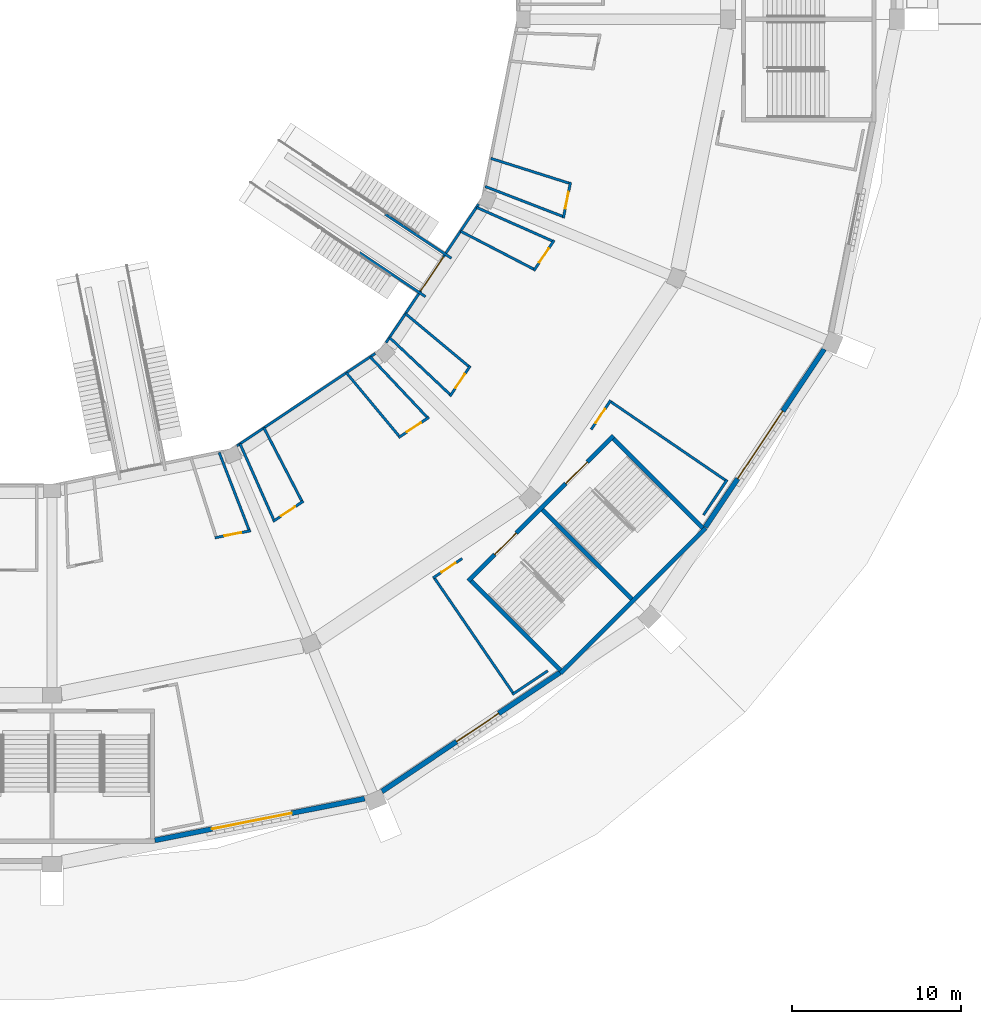
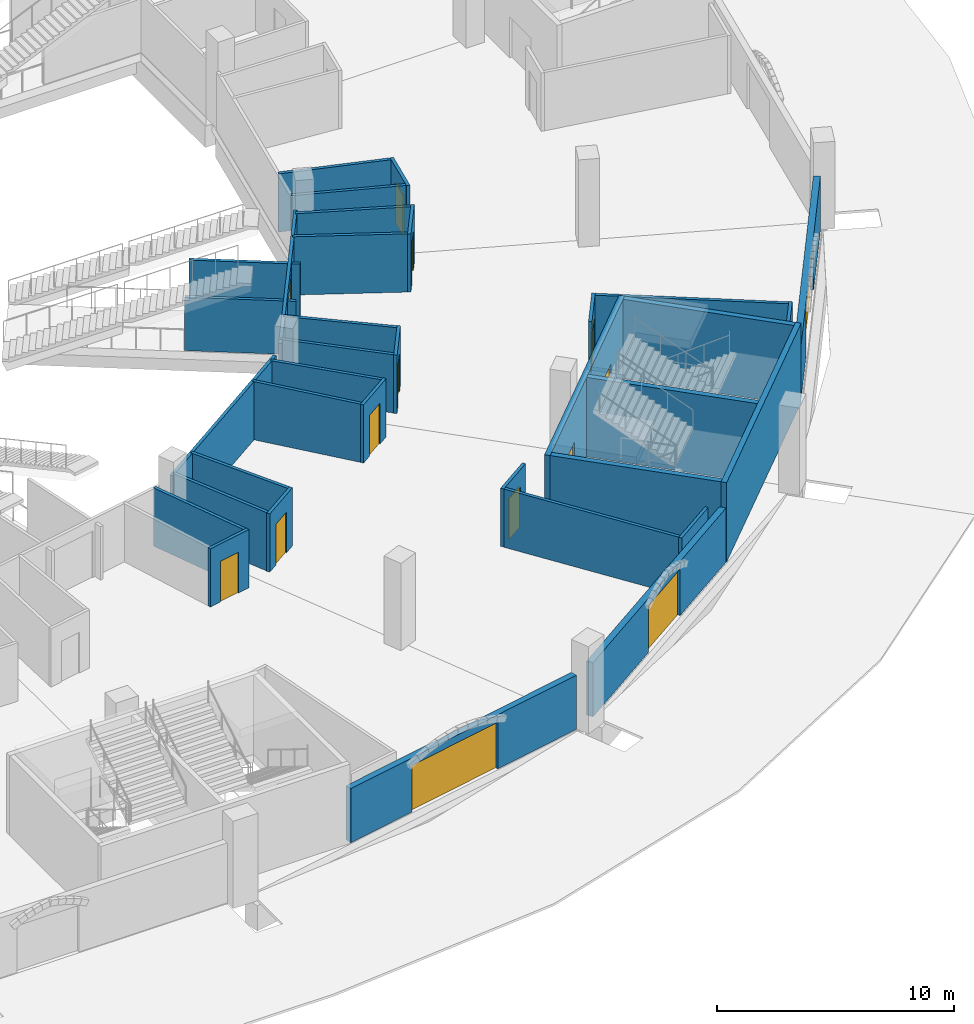
# One storey, part 32 of 175: 35 walls, 14 doors, 14 openings.
"""IFC4 building model written with IfcOpenShell, lengths in metres."""

from ifc_helpers import new_model, si_unit, direction, frame, frame_2d, origin, place, context, subcontext, project, spatial, rectangle, extrude, material, layer, layer_set, type_object, element, fill, save


model = new_model("IFC4")

# Units and contexts
model_context = context("Model", 3, precision=1e-05, world=origin(), true_north=direction((0.0, 1.0)))
body_context = subcontext(model_context, "Body", "Model", "MODEL_VIEW")
ifc_project = project(units=[si_unit("LENGTHUNIT", "METRE"), si_unit("AREAUNIT", "SQUARE_METRE"), si_unit("VOLUMEUNIT", "CUBIC_METRE"), si_unit("PLANEANGLEUNIT", "RADIAN"), si_unit("MASSUNIT", "GRAM", prefix="KILO")], contexts=[model_context])

# Site, building, storey
site_placement = place(None, origin())
site = spatial("IfcSite", under=ifc_project, at=site_placement, CompositionType="ELEMENT")
building_placement = place(site_placement, origin())
building = spatial("IfcBuilding", under=site, at=building_placement, Name="Ogive Plaza Stadium", CompositionType="ELEMENT")
storey_placement = place(building_placement, origin())
storey = spatial("IfcBuildingStorey", under=building, at=storey_placement, Name="L00", CompositionType="ELEMENT", Elevation=0.0)

# Wall, opening, door
ifc_material_1 = material(Name="Masonry blockwork", Category="masonry")
ifc_layer_1 = layer(ifc_material_1, 0.14990234375)
ifc_layer_set_1 = layer_set([ifc_layer_1], Name="Blockwork wall 150")
wall_type_1 = type_object("IfcWallType", Name="Blockwork wall 150", PredefinedType="SOLIDWALL", material=ifc_layer_set_1)
wall_1_placement = place(storey_placement, frame((64.682373046875, -62.14013671875, 0.0), z_axis=(0.0, 0.0, 1.0), x_axis=(-0.195075759432, -0.980788176969, 0.0)))
wall_1 = element("IfcWall", 1, at=wall_1_placement, inside=storey, type_object=wall_type_1, Name="Wall L00 B08", PredefinedType="SOLIDWALL", context=body_context, shape_type="SweptSolid", body=[
    extrude(rectangle(XDim=2.166259765625, YDim=0.14990234375, at=frame_2d((1.0830078125, 0.0))), origin(), (0.0, 0.0, 1.0), 3.0),
])
opening_1_placement = place(wall_1_placement, frame((0.583251953125, 0.0, 0.0)))
opening_1 = element("IfcOpeningElement", 2, at=opening_1_placement, cuts=wall_1, Name="Opening D0390", PredefinedType="OPENING", context=body_context, shape_type="SweptSolid", body=[
    extrude(rectangle(XDim=1.0, YDim=2.10009765625, at=frame_2d((0.5, 1.050048828125))), frame((0.0, 0.074951171875, 0.0), z_axis=(0.0, -1.0, 0.0), x_axis=(1.0, 0.0, 0.0)), (0.0, 0.0, 1.0), 0.14990234375),
])
ifc_material_2 = material(Name="Steel ASTM A572 Grade 50", Category="steel")
door_type_1 = type_object("IfcDoorType", Name="Door 1000 x 2100", OperationType="SINGLE_SWING_LEFT", PredefinedType="DOOR", material=ifc_material_2)
door_1_placement = place(opening_1_placement, origin())
door_1 = element("IfcDoor", 3, at=door_1_placement, inside=storey, type_object=door_type_1, Name="Concession Stand B08 door", OperationType="SINGLE_SWING_RIGHT", OverallHeight=2.10009765625, OverallWidth=1.0, PredefinedType="DOOR", context=body_context, shape_type="SweptSolid", body=[
    extrude(rectangle(XDim=1.0, YDim=2.10009765625, at=frame_2d((0.5, 1.050048828125))), frame((0.0, 0.02490234375, 0.0), z_axis=(0.0, -1.0, 0.0), x_axis=(1.0, 0.0, 0.0)), (0.0, 0.0, 1.0), 0.050048828125),
])
fill(opening_1, door_1)

# Walls
wall_2_placement = place(storey_placement, frame((59.963134765625, -60.72900390625, 0.0), z_axis=(0.0, 0.0, 1.0), x_axis=(0.953256403352, -0.302162587804, 0.0)))
element("IfcWall", 4, at=wall_2_placement, inside=storey, type_object=wall_type_1, Name="Wall L00 B08", PredefinedType="SOLIDWALL", context=body_context, shape_type="SweptSolid", body=[
    extrude(rectangle(XDim=4.860107421875, YDim=0.14990234375, at=frame_2d((2.43017578125, 0.0))), origin(), (0.0, 0.0, 1.0), 3.0),
])
wall_3_placement = place(storey_placement, frame((59.632080078125, -62.39306640625, 0.0), z_axis=(0.0, 0.0, 1.0), x_axis=(0.932924010437, -0.360073313022, 0.0)))
element("IfcWall", 5, at=wall_3_placement, inside=storey, type_object=wall_type_1, Name="Wall L00 B08", PredefinedType="SOLIDWALL", context=body_context, shape_type="SweptSolid", body=[
    extrude(rectangle(XDim=4.90283203125, YDim=0.14990234375, at=frame_2d((2.451416015625, 0.0))), origin(), (0.0, 0.0, 1.0), 3.0),
])

# Wall, opening, door
wall_4_placement = place(storey_placement, frame((57.548095703125, -74.808837890625, 0.0), z_axis=(0.0, 0.0, 1.0), x_axis=(0.555584101735, 0.831460345356, 0.0)))
wall_4 = element("IfcWall", 6, at=wall_4_placement, inside=storey, type_object=wall_type_1, Name="Wall L00 B09", PredefinedType="SOLIDWALL", context=body_context, shape_type="SweptSolid", body=[
    extrude(rectangle(XDim=2.16650390625, YDim=0.14990234375, at=frame_2d((1.083251953125, 0.0))), origin(), (0.0, 0.0, 1.0), 3.0),
])
opening_2_placement = place(wall_4_placement, frame((0.583251953125, 0.0, 0.0)))
opening_2 = element("IfcOpeningElement", 7, at=opening_2_placement, cuts=wall_4, Name="Opening D0392", PredefinedType="OPENING", context=body_context, shape_type="SweptSolid", body=[
    extrude(rectangle(XDim=1.0, YDim=2.10009765625, at=frame_2d((0.5, 1.050048828125))), frame((0.0, 0.074951171875, 0.0), z_axis=(0.0, -1.0, 0.0), x_axis=(1.0, 0.0, 0.0)), (0.0, 0.0, 1.0), 0.14990234375),
])
door_2_placement = place(opening_2_placement, origin())
door_2 = element("IfcDoor", 8, at=door_2_placement, inside=storey, type_object=door_type_1, Name="Concession Stand B09 door", OperationType="SINGLE_SWING_RIGHT", OverallHeight=2.10009765625, OverallWidth=1.0, PredefinedType="DOOR", context=body_context, shape_type="SweptSolid", body=[
    extrude(rectangle(XDim=1.0, YDim=2.10009765625, at=frame_2d((0.5, 1.050048828125))), frame((0.0, 0.02490234375, 0.0), z_axis=(0.0, -1.0, 0.0), x_axis=(1.0, 0.0, 0.0)), (0.0, 0.0, 1.0), 0.050048828125),
])
fill(opening_2, door_2)

# Walls
wall_5_placement = place(storey_placement, frame((53.974609375, -71.330078125, 0.0), z_axis=(0.0, 0.0, 1.0), x_axis=(0.727681801846, -0.685914860068, 0.0)))
element("IfcWall", 9, at=wall_5_placement, inside=storey, type_object=wall_type_1, Name="Wall L00 B09", PredefinedType="SOLIDWALL", context=body_context, shape_type="SweptSolid", body=[
    extrude(rectangle(XDim=4.8984375, YDim=0.14990234375, at=frame_2d((2.44921875, 0.0))), origin(), (0.0, 0.0, 1.0), 3.0),
])
wall_6_placement = place(storey_placement, frame((54.917236328125, -69.91943359375, 0.0), z_axis=(0.0, 0.0, 1.0), x_axis=(0.768443715431, -0.639917382336, 0.0)))
element("IfcWall", 10, at=wall_6_placement, inside=storey, type_object=wall_type_1, Name="Wall L00 B09", PredefinedType="SOLIDWALL", context=body_context, shape_type="SweptSolid", body=[
    extrude(rectangle(XDim=4.857177734375, YDim=0.14990234375, at=frame_2d((2.4287109375, 0.0))), origin(), (0.0, 0.0, 1.0), 3.0),
])

# Wall, opening, door
wall_7_placement = place(storey_placement, frame((62.512451171875, -67.379150390625, 0.0), z_axis=(0.0, 0.0, 1.0), x_axis=(0.555584101735, 0.831460345356, 0.0)))
wall_7 = element("IfcWall", 11, at=wall_7_placement, inside=storey, type_object=wall_type_1, Name="Wall L00 B09", PredefinedType="SOLIDWALL", context=body_context, shape_type="SweptSolid", body=[
    extrude(rectangle(XDim=2.16650390625, YDim=0.14990234375, at=frame_2d((1.083251953125, 0.0))), origin(), (0.0, 0.0, 1.0), 3.0),
])
opening_3_placement = place(wall_7_placement, frame((0.583251953125, 0.0, 0.0)))
opening_3 = element("IfcOpeningElement", 12, at=opening_3_placement, cuts=wall_7, Name="Opening D0393", PredefinedType="OPENING", context=body_context, shape_type="SweptSolid", body=[
    extrude(rectangle(XDim=1.0, YDim=2.10009765625, at=frame_2d((0.5, 1.050048828125))), frame((0.0, 0.074951171875, 0.0), z_axis=(0.0, -1.0, 0.0), x_axis=(1.0, 0.0, 0.0)), (0.0, 0.0, 1.0), 0.14990234375),
])
door_3_placement = place(opening_3_placement, origin())
door_3 = element("IfcDoor", 13, at=door_3_placement, inside=storey, type_object=door_type_1, Name="Concession Stand B09 door", OperationType="SINGLE_SWING_LEFT", OverallHeight=2.10009765625, OverallWidth=1.0, PredefinedType="DOOR", context=body_context, shape_type="SweptSolid", body=[
    extrude(rectangle(XDim=1.0, YDim=2.10009765625, at=frame_2d((0.5, 1.050048828125))), frame((0.0, 0.02490234375, 0.0), z_axis=(0.0, -1.0, 0.0), x_axis=(1.0, 0.0, 0.0)), (0.0, 0.0, 1.0), 0.050048828125),
])
fill(opening_3, door_3)

# Walls
wall_8_placement = place(storey_placement, frame((58.177490234375, -65.039794921875, 0.0), z_axis=(0.0, 0.0, 1.0), x_axis=(0.887687615618, -0.460446193467, 0.0)))
element("IfcWall", 14, at=wall_8_placement, inside=storey, type_object=wall_type_1, Name="Wall L00 B09", PredefinedType="SOLIDWALL", context=body_context, shape_type="SweptSolid", body=[
    extrude(rectangle(XDim=4.860107421875, YDim=0.14990234375, at=frame_2d((2.43017578125, 0.0))), origin(), (0.0, 0.0, 1.0), 3.0),
])
wall_9_placement = place(storey_placement, frame((59.1201171875, -63.629150390625, 0.0), z_axis=(0.0, 0.0, 1.0), x_axis=(0.914272991352, -0.405098626615, 0.0)))
element("IfcWall", 15, at=wall_9_placement, inside=storey, type_object=wall_type_1, Name="Wall L00 B09", PredefinedType="SOLIDWALL", context=body_context, shape_type="SweptSolid", body=[
    extrude(rectangle(XDim=4.90283203125, YDim=0.14990234375, at=frame_2d((2.451416015625, 0.0))), origin(), (0.0, 0.0, 1.0), 3.0),
])

# Wall, opening, door
wall_10_placement = place(storey_placement, frame((65.90673828125, -76.775390625, 0.0), z_axis=(0.0, 0.0, 1.0), x_axis=(0.555485387307, 0.831526298134, 0.0)))
wall_10 = element("IfcWall", 16, at=wall_10_placement, inside=storey, type_object=wall_type_1, Name="Wall L00 B09", PredefinedType="SOLIDWALL", context=body_context, shape_type="SweptSolid", body=[
    extrude(rectangle(XDim=2.080078125, YDim=0.14990234375, at=frame_2d((1.0400390625, 0.0))), origin(), (0.0, 0.0, 1.0), 3.0),
])
opening_4_placement = place(wall_10_placement, frame((0.47216796875, 0.0, 0.0)))
opening_4 = element("IfcOpeningElement", 17, at=opening_4_placement, cuts=wall_10, Name="Opening D0394", PredefinedType="OPENING", context=body_context, shape_type="SweptSolid", body=[
    extrude(rectangle(XDim=1.0, YDim=2.10009765625, at=frame_2d((0.5, 1.050048828125))), frame((0.0, 0.074951171875, 0.0), z_axis=(0.0, -1.0, 0.0), x_axis=(1.0, 0.0, 0.0)), (0.0, 0.0, 1.0), 0.14990234375),
])
ifc_material_3 = material(Name="Steel ASTM A572 Grade 50", Category="steel")
door_type_2 = type_object("IfcDoorType", Name="Fire door FD90 1000 x 2100", OperationType="SINGLE_SWING_LEFT", PredefinedType="DOOR", material=ifc_material_3)
door_4_placement = place(opening_4_placement, origin())
door_4 = element("IfcDoor", 18, at=door_4_placement, inside=storey, type_object=door_type_2, Name="Electrical Room B09 door", OperationType="SINGLE_SWING_LEFT", OverallHeight=2.10009765625, OverallWidth=1.0, PredefinedType="DOOR", context=body_context, shape_type="SweptSolid", body=[
    extrude(rectangle(XDim=1.0, YDim=2.10009765625, at=frame_2d((0.5, 1.050048828125))), frame((0.0, 0.02490234375, 0.0), z_axis=(0.0, -1.0, 0.0), x_axis=(1.0, 0.0, 0.0)), (0.0, 0.0, 1.0), 0.050048828125),
])
fill(opening_4, door_4)

# Walls
wall_11_placement = place(storey_placement, frame((72.553955078125, -81.832763671875, 0.0), z_axis=(0.0, 0.0, 1.0), x_axis=(0.555551611961, 0.831482054195, 0.0)))
element("IfcWall", 19, at=wall_11_placement, inside=storey, type_object=wall_type_1, Name="Wall L00 B09", PredefinedType="SOLIDWALL", context=body_context, shape_type="SweptSolid", body=[
    extrude(rectangle(XDim=2.513671875, YDim=0.14990234375, at=frame_2d((1.2568359375, 0.0))), origin(), (0.0, 0.0, 1.0), 3.0),
])
wall_12_placement = place(storey_placement, frame((67.08544921875, -75.143798828125, 0.0), z_axis=(0.0, 0.0, 1.0), x_axis=(0.825237791444, -0.564785434986, 0.0)))
element("IfcWall", 20, at=wall_12_placement, inside=storey, type_object=wall_type_1, Name="Wall L00 B09", PredefinedType="SOLIDWALL", context=body_context, shape_type="SweptSolid", body=[
    extrude(rectangle(XDim=8.189697265625, YDim=0.14990234375, at=frame_2d((4.0947265625, 0.0))), origin(), (0.0, 0.0, 1.0), 3.0),
])

# Wall, opening, door
wall_13_placement = place(storey_placement, frame((56.308837890625, -76.048095703125, 0.0), z_axis=(0.0, 0.0, 1.0), x_axis=(-0.831460345356, -0.555584101735, 0.0)))
wall_13 = element("IfcWall", 21, at=wall_13_placement, inside=storey, type_object=wall_type_1, Name="Wall L00 B10", PredefinedType="SOLIDWALL", context=body_context, shape_type="SweptSolid", body=[
    extrude(rectangle(XDim=2.16650390625, YDim=0.14990234375, at=frame_2d((1.083251953125, 0.0))), origin(), (0.0, 0.0, 1.0), 3.0),
])
opening_5_placement = place(wall_13_placement, frame((0.583251953125, 0.0, 0.0)))
opening_5 = element("IfcOpeningElement", 22, at=opening_5_placement, cuts=wall_13, Name="Opening D0395", PredefinedType="OPENING", context=body_context, shape_type="SweptSolid", body=[
    extrude(rectangle(XDim=1.0, YDim=2.10009765625, at=frame_2d((0.5, 1.050048828125))), frame((0.0, 0.074951171875, 0.0), z_axis=(0.0, -1.0, 0.0), x_axis=(1.0, 0.0, 0.0)), (0.0, 0.0, 1.0), 0.14990234375),
])
door_5_placement = place(opening_5_placement, origin())
door_5 = element("IfcDoor", 23, at=door_5_placement, inside=storey, type_object=door_type_1, Name="Concession Stand B10 door", OperationType="SINGLE_SWING_LEFT", OverallHeight=2.10009765625, OverallWidth=1.0, PredefinedType="DOOR", context=body_context, shape_type="SweptSolid", body=[
    extrude(rectangle(XDim=1.0, YDim=2.10009765625, at=frame_2d((0.5, 1.050048828125))), frame((0.0, 0.02490234375, 0.0), z_axis=(0.0, -1.0, 0.0), x_axis=(1.0, 0.0, 0.0)), (0.0, 0.0, 1.0), 0.050048828125),
])
fill(opening_5, door_5)

# Walls
wall_14_placement = place(storey_placement, frame((52.830078125, -72.474609375, 0.0), z_axis=(0.0, 0.0, 1.0), x_axis=(0.685914860068, -0.727681801846, 0.0)))
element("IfcWall", 24, at=wall_14_placement, inside=storey, type_object=wall_type_1, Name="Wall L00 B10", PredefinedType="SOLIDWALL", context=body_context, shape_type="SweptSolid", body=[
    extrude(rectangle(XDim=4.8984375, YDim=0.14990234375, at=frame_2d((2.44921875, 0.0))), origin(), (0.0, 0.0, 1.0), 3.0),
])
wall_15_placement = place(storey_placement, frame((51.41943359375, -73.417236328125, 0.0), z_axis=(0.0, 0.0, 1.0), x_axis=(0.639917382336, -0.768443715431, 0.0)))
element("IfcWall", 25, at=wall_15_placement, inside=storey, type_object=wall_type_1, Name="Wall L00 B10", PredefinedType="SOLIDWALL", context=body_context, shape_type="SweptSolid", body=[
    extrude(rectangle(XDim=4.857177734375, YDim=0.14990234375, at=frame_2d((2.4287109375, 0.0))), origin(), (0.0, 0.0, 1.0), 3.0),
])

# Wall, opening, door
wall_16_placement = place(storey_placement, frame((48.879150390625, -81.012451171875, 0.0), z_axis=(0.0, 0.0, 1.0), x_axis=(-0.831460345356, -0.555584101735, 0.0)))
wall_16 = element("IfcWall", 26, at=wall_16_placement, inside=storey, type_object=wall_type_1, Name="Wall L00 B10", PredefinedType="SOLIDWALL", context=body_context, shape_type="SweptSolid", body=[
    extrude(rectangle(XDim=2.16650390625, YDim=0.14990234375, at=frame_2d((1.083251953125, 0.0))), origin(), (0.0, 0.0, 1.0), 3.0),
])
opening_6_placement = place(wall_16_placement, frame((0.583251953125, 0.0, 0.0)))
opening_6 = element("IfcOpeningElement", 27, at=opening_6_placement, cuts=wall_16, Name="Opening D0396", PredefinedType="OPENING", context=body_context, shape_type="SweptSolid", body=[
    extrude(rectangle(XDim=1.0, YDim=2.10009765625, at=frame_2d((0.5, 1.050048828125))), frame((0.0, 0.074951171875, 0.0), z_axis=(0.0, -1.0, 0.0), x_axis=(1.0, 0.0, 0.0)), (0.0, 0.0, 1.0), 0.14990234375),
])
door_6_placement = place(opening_6_placement, origin())
door_6 = element("IfcDoor", 28, at=door_6_placement, inside=storey, type_object=door_type_1, Name="Concession Stand B10 door", OperationType="SINGLE_SWING_RIGHT", OverallHeight=2.10009765625, OverallWidth=1.0, PredefinedType="DOOR", context=body_context, shape_type="SweptSolid", body=[
    extrude(rectangle(XDim=1.0, YDim=2.10009765625, at=frame_2d((0.5, 1.050048828125))), frame((0.0, 0.02490234375, 0.0), z_axis=(0.0, -1.0, 0.0), x_axis=(1.0, 0.0, 0.0)), (0.0, 0.0, 1.0), 0.050048828125),
])
fill(opening_6, door_6)

# Walls
wall_17_placement = place(storey_placement, frame((46.539794921875, -76.677490234375, 0.0), z_axis=(0.0, 0.0, 1.0), x_axis=(0.460446193467, -0.887687615618, 0.0)))
element("IfcWall", 29, at=wall_17_placement, inside=storey, type_object=wall_type_1, Name="Wall L00 B10", PredefinedType="SOLIDWALL", context=body_context, shape_type="SweptSolid", body=[
    extrude(rectangle(XDim=4.860107421875, YDim=0.14990234375, at=frame_2d((2.43017578125, 0.0))), origin(), (0.0, 0.0, 1.0), 3.0),
])
wall_18_placement = place(storey_placement, frame((45.129150390625, -77.6201171875, 0.0), z_axis=(0.0, 0.0, 1.0), x_axis=(0.405098626615, -0.914272991352, 0.0)))
element("IfcWall", 30, at=wall_18_placement, inside=storey, type_object=wall_type_1, Name="Wall L00 B10", PredefinedType="SOLIDWALL", context=body_context, shape_type="SweptSolid", body=[
    extrude(rectangle(XDim=4.90283203125, YDim=0.14990234375, at=frame_2d((2.451416015625, 0.0))), origin(), (0.0, 0.0, 1.0), 3.0),
])

# Wall, opening, door
wall_19_placement = place(storey_placement, frame((43.64013671875, -83.182373046875, 0.0), z_axis=(0.0, 0.0, 1.0), x_axis=(0.980788176969, 0.195075759432, 0.0)))
wall_19 = element("IfcWall", 31, at=wall_19_placement, inside=storey, type_object=wall_type_1, Name="Wall L00 B11", PredefinedType="SOLIDWALL", context=body_context, shape_type="SweptSolid", body=[
    extrude(rectangle(XDim=2.166259765625, YDim=0.14990234375, at=frame_2d((1.0830078125, 0.0))), origin(), (0.0, 0.0, 1.0), 3.0),
])
opening_7_placement = place(wall_19_placement, frame((0.583251953125, 0.0, 0.0)))
opening_7 = element("IfcOpeningElement", 32, at=opening_7_placement, cuts=wall_19, Name="Opening D0399", PredefinedType="OPENING", context=body_context, shape_type="SweptSolid", body=[
    extrude(rectangle(XDim=1.0, YDim=2.10009765625, at=frame_2d((0.5, 1.050048828125))), frame((0.0, 0.074951171875, 0.0), z_axis=(0.0, -1.0, 0.0), x_axis=(1.0, 0.0, 0.0)), (0.0, 0.0, 1.0), 0.14990234375),
])
door_7_placement = place(opening_7_placement, origin())
door_7 = element("IfcDoor", 33, at=door_7_placement, inside=storey, type_object=door_type_1, Name="Concession Stand B11 door", OperationType="SINGLE_SWING_LEFT", OverallHeight=2.10009765625, OverallWidth=1.0, PredefinedType="DOOR", context=body_context, shape_type="SweptSolid", body=[
    extrude(rectangle(XDim=1.0, YDim=2.10009765625, at=frame_2d((0.5, 1.050048828125))), frame((0.0, 0.02490234375, 0.0), z_axis=(0.0, -1.0, 0.0), x_axis=(1.0, 0.0, 0.0)), (0.0, 0.0, 1.0), 0.050048828125),
])
fill(opening_7, door_7)

# Wall
wall_20_placement = place(storey_placement, frame((43.89306640625, -78.132080078125, 0.0), z_axis=(0.0, 0.0, 1.0), x_axis=(0.360073313022, -0.932924010437, 0.0)))
element("IfcWall", 34, at=wall_20_placement, inside=storey, type_object=wall_type_1, Name="Wall L00 B11", PredefinedType="SOLIDWALL", context=body_context, shape_type="SweptSolid", body=[
    extrude(rectangle(XDim=4.90283203125, YDim=0.14990234375, at=frame_2d((2.451416015625, 0.0))), origin(), (0.0, 0.0, 1.0), 3.0),
])

# Wall, opening, door
wall_21_placement = place(storey_placement, frame((59.244140625, -63.443603515625, 0.0), z_axis=(0.0, 0.0, 1.0), x_axis=(-0.555569179667, -0.83147031613, 0.0)))
wall_21 = element("IfcWall", 35, at=wall_21_placement, inside=storey, type_object=wall_type_1, Name="Stand rear wall B09", PredefinedType="SOLIDWALL", context=body_context, shape_type="SweptSolid", body=[
    extrude(rectangle(XDim=9.851318359375, YDim=0.14990234375, at=frame_2d((4.92578125, 0.0))), origin(), (0.0, 0.0, 1.0), 3.0),
])
opening_8_placement = place(wall_21_placement, frame((3.755615234375, 0.0, 0.0)))
opening_8 = element("IfcOpeningElement", 36, at=opening_8_placement, cuts=wall_21, Name="Opening D1041", PredefinedType="OPENING", context=body_context, shape_type="SweptSolid", body=[
    extrude(rectangle(XDim=2.39990234375, YDim=2.39990234375, at=frame_2d((1.199951171875, 1.199951171875))), frame((0.0, 0.074951171875, 0.0), z_axis=(0.0, -1.0, 0.0), x_axis=(1.0, 0.0, 0.0)), (0.0, 0.0, 1.0), 0.14990234375),
])
ifc_material_4 = material(Name="Steel ASTM A572 Grade 50", Category="steel")
door_type_3 = type_object("IfcDoorType", Name="Service door pair 2400 x 2400", OperationType="DOUBLE_DOOR_SINGLE_SWING", PredefinedType="DOOR", material=ifc_material_4)
door_8_placement = place(opening_8_placement, origin())
door_8 = element("IfcDoor", 37, at=door_8_placement, inside=storey, type_object=door_type_3, Name="Vomitory portal door B09", OperationType="DOUBLE_DOOR_SINGLE_SWING", OverallHeight=2.39990234375, OverallWidth=2.39990234375, PredefinedType="DOOR", context=body_context, shape_type="SweptSolid", body=[
    extrude(rectangle(XDim=2.39990234375, YDim=2.39990234375, at=frame_2d((1.199951171875, 1.199951171875))), frame((0.0, 0.02490234375, 0.0), z_axis=(0.0, -1.0, 0.0), x_axis=(1.0, 0.0, 0.0)), (0.0, 0.0, 1.0), 0.050048828125),
])
fill(opening_8, door_8)

# Wall
wall_22_placement = place(storey_placement, frame((53.134765625, -72.27099609375, 0.0), z_axis=(0.0, 0.0, 1.0), x_axis=(-0.83147031613, -0.555569179667, 0.0)))
element("IfcWall", 38, at=wall_22_placement, inside=storey, type_object=wall_type_1, Name="Stand rear wall B10", PredefinedType="SOLIDWALL", context=body_context, shape_type="SweptSolid", body=[
    extrude(rectangle(XDim=9.851318359375, YDim=0.14990234375, at=frame_2d((4.92578125, 0.0))), origin(), (0.0, 0.0, 1.0), 3.0),
])

# Wall, openings, doors
ifc_material_5 = material(Name="Concrete C40/50", Category="concrete")
ifc_layer_2 = layer(ifc_material_5, 0.25)
ifc_layer_set_2 = layer_set([ifc_layer_2], Name="Concrete C40/50")
wall_type_2 = type_object("IfcWallType", Name="Core wall 250", PredefinedType="SHEAR", material=ifc_layer_set_2)
wall_23_placement = place(storey_placement, frame((58.642578125, -85.734130859375, 0.0), z_axis=(0.0, 0.0, 1.0), x_axis=(0.707106781187, 0.707106781187, 0.0)))
wall_23 = element("IfcWall", 39, at=wall_23_placement, inside=storey, type_object=wall_type_2, Name="Stair core R10 inner wall", PredefinedType="SHEAR", context=body_context, shape_type="SweptSolid", body=[
    extrude(rectangle(XDim=12.150390625, YDim=0.25, at=frame_2d((6.0751953125, 0.0))), origin(), (0.0, 0.0, 1.0), 4.090087890625),
])
opening_9_placement = place(wall_23_placement, frame((2.199951171875, 0.0, 0.0)))
opening_9 = element("IfcOpeningElement", 40, at=opening_9_placement, cuts=wall_23, Name="Opening D0093", PredefinedType="OPENING", context=body_context, shape_type="SweptSolid", body=[
    extrude(rectangle(XDim=1.800048828125, YDim=2.10009765625, at=frame_2d((0.89990234375, 1.050048828125))), frame((0.0, 0.125, 0.0), z_axis=(0.0, -1.0, 0.0), x_axis=(1.0, 0.0, 0.0)), (0.0, 0.0, 1.0), 0.25),
])
opening_10_placement = place(wall_23_placement, frame((8.14990234375, 0.0, 0.0)))
opening_10 = element("IfcOpeningElement", 41, at=opening_10_placement, cuts=wall_23, Name="Opening D0094", PredefinedType="OPENING", context=body_context, shape_type="SweptSolid", body=[
    extrude(rectangle(XDim=1.800048828125, YDim=2.10009765625, at=frame_2d((0.89990234375, 1.050048828125))), frame((0.0, 0.125, 0.0), z_axis=(0.0, -1.0, 0.0), x_axis=(1.0, 0.0, 0.0)), (0.0, 0.0, 1.0), 0.25),
])
ifc_material_6 = material(Name="Steel ASTM A572 Grade 50", Category="steel")
door_type_4 = type_object("IfcDoorType", Name="Fire door FD90 pair 1800 x 2100", OperationType="DOUBLE_DOOR_SINGLE_SWING", PredefinedType="DOOR", material=ifc_material_6)
door_9_placement = place(opening_9_placement, origin())
door_9 = element("IfcDoor", 42, at=door_9_placement, inside=storey, type_object=door_type_4, Name="Exit stair R10A door L00", OperationType="DOUBLE_DOOR_SINGLE_SWING", OverallHeight=2.10009765625, OverallWidth=1.800048828125, PredefinedType="DOOR", context=body_context, shape_type="SweptSolid", body=[
    extrude(rectangle(XDim=1.800048828125, YDim=2.10009765625, at=frame_2d((0.89990234375, 1.050048828125))), frame((0.0, 0.02490234375, 0.0), z_axis=(0.0, -1.0, 0.0), x_axis=(1.0, 0.0, 0.0)), (0.0, 0.0, 1.0), 0.050048828125),
])
fill(opening_9, door_9)
door_10_placement = place(opening_10_placement, origin())
door_10 = element("IfcDoor", 43, at=door_10_placement, inside=storey, type_object=door_type_4, Name="Exit stair R10B door L00", OperationType="DOUBLE_DOOR_SINGLE_SWING", OverallHeight=2.10009765625, OverallWidth=1.800048828125, PredefinedType="DOOR", context=body_context, shape_type="SweptSolid", body=[
    extrude(rectangle(XDim=1.800048828125, YDim=2.10009765625, at=frame_2d((0.89990234375, 1.050048828125))), frame((0.0, 0.02490234375, 0.0), z_axis=(0.0, -1.0, 0.0), x_axis=(1.0, 0.0, 0.0)), (0.0, 0.0, 1.0), 0.050048828125),
])
fill(opening_10, door_10)

# Walls
wall_24_placement = place(storey_placement, frame((64.094482421875, -91.185791015625, 0.0), z_axis=(0.0, 0.0, 1.0), x_axis=(0.707106781187, 0.707106781187, 0.0)))
element("IfcWall", 44, at=wall_24_placement, inside=storey, type_object=wall_type_2, Name="Stair core R10 outer wall", PredefinedType="SHEAR", context=body_context, shape_type="SweptSolid", body=[
    extrude(rectangle(XDim=12.14990234375, YDim=0.25, at=frame_2d((6.074951171875, 0.0))), origin(), (0.0, 0.0, 1.0), 4.090087890625),
])
for number, where, z_axis, x_axis, name in (
    (45, (58.8193359375, -85.734130859375, 0.0), (0.0, 0.0, 1.0), (0.707123144286, -0.707090417709, 0.0), "Stair core R10 side wall"),
    (46, (67.234130859375, -77.3193359375, 0.0), (0.0, 0.0, 1.0), (0.707090417709, -0.707123144286, 0.0), "Stair core R10 side wall"),
):
    element("IfcWall", number, at=place(storey_placement, frame(where, z_axis=z_axis, x_axis=x_axis)), inside=storey, type_object=wall_type_2, Name=name, PredefinedType="SHEAR", context=body_context, shape_type="SweptSolid", body=[
        extrude(rectangle(XDim=7.4599609375, YDim=0.25, at=frame_2d((3.72998046875, 0.0))), origin(), (0.0, 0.0, 1.0), 4.090087890625),
    ])
wall_25_placement = place(storey_placement, frame((63.026611328125, -81.526611328125, 0.0), z_axis=(0.0, 0.0, 1.0), x_axis=(0.707106781187, -0.707106781187, 0.0)))
element("IfcWall", 47, at=wall_25_placement, inside=storey, type_object=wall_type_2, Name="Stair core R10 centre wall", PredefinedType="SHEAR", context=body_context, shape_type="SweptSolid", body=[
    extrude(rectangle(XDim=7.460205078125, YDim=0.25, at=frame_2d((3.72998046875, 0.0))), origin(), (0.0, 0.0, 1.0), 4.090087890625),
])

# Wall, opening, door
ifc_material_7 = material(Name="Gypsum board partition", Category="gypsum")
ifc_layer_3 = layer(ifc_material_7, 0.14990234375)
ifc_layer_set_3 = layer_set([ifc_layer_3], Name="Partition 150")
wall_type_3 = type_object("IfcWallType", Name="Partition 150", PredefinedType="PARTITIONING", material=ifc_layer_set_3)
wall_26_placement = place(storey_placement, frame((58.275390625, -84.40673828125, 0.0), z_axis=(0.0, 0.0, 1.0), x_axis=(-0.831526298134, -0.555485387307, 0.0)))
wall_26 = element("IfcWall", 48, at=wall_26_placement, inside=storey, type_object=wall_type_3, Name="Wall L00 B10", PredefinedType="PARTITIONING", context=body_context, shape_type="SweptSolid", body=[
    extrude(rectangle(XDim=2.080078125, YDim=0.14990234375, at=frame_2d((1.0400390625, 0.0))), origin(), (0.0, 0.0, 1.0), 3.0),
])
opening_11_placement = place(wall_26_placement, frame((0.47216796875, 0.0, 0.0)))
opening_11 = element("IfcOpeningElement", 49, at=opening_11_placement, cuts=wall_26, Name="Opening D0397", PredefinedType="OPENING", context=body_context, shape_type="SweptSolid", body=[
    extrude(rectangle(XDim=1.0, YDim=2.10009765625, at=frame_2d((0.5, 1.050048828125))), frame((0.0, 0.074951171875, 0.0), z_axis=(0.0, -1.0, 0.0), x_axis=(1.0, 0.0, 0.0)), (0.0, 0.0, 1.0), 0.14990234375),
])
door_11_placement = place(opening_11_placement, origin())
door_11 = element("IfcDoor", 50, at=door_11_placement, inside=storey, type_object=door_type_1, Name="Ticket Office B10 door", OperationType="SINGLE_SWING_LEFT", OverallHeight=2.10009765625, OverallWidth=1.0, PredefinedType="DOOR", context=body_context, shape_type="SweptSolid", body=[
    extrude(rectangle(XDim=1.0, YDim=2.10009765625, at=frame_2d((0.5, 1.050048828125))), frame((0.0, 0.02490234375, 0.0), z_axis=(0.0, -1.0, 0.0), x_axis=(1.0, 0.0, 0.0)), (0.0, 0.0, 1.0), 0.050048828125),
])
fill(opening_11, door_11)

# Walls
wall_27_placement = place(storey_placement, frame((63.332763671875, -91.053955078125, 0.0), z_axis=(0.0, 0.0, 1.0), x_axis=(-0.831482054195, -0.555551611961, 0.0)))
element("IfcWall", 51, at=wall_27_placement, inside=storey, type_object=wall_type_3, Name="Wall L00 B10", PredefinedType="PARTITIONING", context=body_context, shape_type="SweptSolid", body=[
    extrude(rectangle(XDim=2.513671875, YDim=0.14990234375, at=frame_2d((1.2568359375, 0.0))), origin(), (0.0, 0.0, 1.0), 3.0),
])
wall_28_placement = place(storey_placement, frame((56.643798828125, -85.58544921875, 0.0), z_axis=(0.0, 0.0, 1.0), x_axis=(0.564785434986, -0.825237791444, 0.0)))
element("IfcWall", 52, at=wall_28_placement, inside=storey, type_object=wall_type_3, Name="Wall L00 B10", PredefinedType="PARTITIONING", context=body_context, shape_type="SweptSolid", body=[
    extrude(rectangle(XDim=8.189697265625, YDim=0.14990234375, at=frame_2d((4.0947265625, 0.0))), origin(), (0.0, 0.0, 1.0), 3.0),
])

# Wall, opening, door
ifc_material_8 = material(Name="Concrete C45/55 precast", Category="concrete")
ifc_layer_4 = layer(ifc_material_8, 0.25)
ifc_material_9 = material(Name="Cast stone (reconstituted limestone)", Category="masonry")
ifc_layer_5 = layer(ifc_material_9, 0.050048828125)
ifc_layer_set_4 = layer_set([ifc_layer_4, ifc_layer_5], Name="Concrete C45/55 precast, cast stone facing")
wall_type_4 = type_object("IfcWallType", Name="Portal infill wall 300 A", PredefinedType="SOLIDWALL", material=ifc_layer_set_4)
wall_29_placement = place(storey_placement, frame((79.694091796875, -72.0224609375, 0.0), z_axis=(0.0, 0.0, 1.0), x_axis=(-0.555581029899, -0.831462397957, 0.0)))
wall_29 = element("IfcWall", 53, at=wall_29_placement, inside=storey, type_object=wall_type_4, Name="PORTAL WALL B09", PredefinedType="SOLIDWALL", context=body_context, shape_type="SweptSolid", body=[
    extrude(rectangle(XDim=12.66015625, YDim=0.300048828125, at=frame_2d((6.330078125, 0.0))), origin(), (0.0, 0.0, 1.0), 2.7900390625),
])
opening_12_placement = place(wall_29_placement, frame((4.41162109375, 0.0, 0.0)))
opening_12 = element("IfcOpeningElement", 54, at=opening_12_placement, cuts=wall_29, Name="Opening D0009", PredefinedType="OPENING", context=body_context, shape_type="SweptSolid", body=[
    extrude(rectangle(XDim=4.800048828125, YDim=2.39990234375, at=frame_2d((2.39990234375, 1.199951171875))), frame((0.0, 0.16015625, 0.0), z_axis=(0.0, -1.0, 0.0), x_axis=(1.0, 0.0, 0.0)), (0.0, 0.0, 1.0), 0.320068359375),
])
ifc_material_10 = material(Name="Bronze-anodised aluminium and laminated glass", Category="aluminium")
door_type_5 = type_object("IfcDoorType", Name="Entrance door pair 4800 x 2400", OperationType="DOUBLE_DOOR_SINGLE_SWING", PredefinedType="DOOR", material=ifc_material_10)
door_12_placement = place(opening_12_placement, origin())
door_12 = element("IfcDoor", 55, at=door_12_placement, inside=storey, type_object=door_type_5, Name="Main entrance E5", OperationType="DOUBLE_DOOR_SINGLE_SWING", OverallHeight=2.39990234375, OverallWidth=4.800048828125, PredefinedType="DOOR", context=body_context, shape_type="SweptSolid", body=[
    extrude(rectangle(XDim=4.800048828125, YDim=2.39990234375, at=frame_2d((2.39990234375, 1.199951171875))), frame((0.0, 0.02490234375, 0.0), z_axis=(0.0, -1.0, 0.0), x_axis=(1.0, 0.0, 0.0)), (0.0, 0.0, 1.0), 0.050048828125),
])
fill(opening_12, door_12)

wall_30_placement = place(storey_placement, frame((64.06103515625, -91.15234375, 0.0), z_axis=(0.0, 0.0, 1.0), x_axis=(-0.831466044974, -0.555575571867, 0.0)))
wall_30 = element("IfcWall", 56, at=wall_30_placement, inside=storey, type_object=wall_type_4, Name="PORTAL WALL B10", PredefinedType="SOLIDWALL", context=body_context, shape_type="SweptSolid", body=[
    extrude(rectangle(XDim=12.6748046875, YDim=0.300048828125, at=frame_2d((6.33740234375, 0.0))), origin(), (0.0, 0.0, 1.0), 2.7900390625),
])
opening_13_placement = place(wall_30_placement, frame((4.363037109375, 0.0, 0.0)))
opening_13 = element("IfcOpeningElement", 57, at=opening_13_placement, cuts=wall_30, Name="Opening D0010", PredefinedType="OPENING", context=body_context, shape_type="SweptSolid", body=[
    extrude(rectangle(XDim=3.0, YDim=2.39990234375, at=frame_2d((1.5, 1.199951171875))), frame((0.0, 0.16015625, 0.0), z_axis=(0.0, -1.0, 0.0), x_axis=(1.0, 0.0, 0.0)), (0.0, 0.0, 1.0), 0.320068359375),
])
ifc_material_11 = material(Name="Bronze-anodised aluminium and laminated glass", Category="aluminium")
door_type_6 = type_object("IfcDoorType", Name="Exit gate door pair 3000 x 2400", OperationType="DOUBLE_DOOR_SINGLE_SWING", PredefinedType="DOOR", material=ifc_material_11)
door_13_placement = place(opening_13_placement, origin())
door_13 = element("IfcDoor", 58, at=door_13_placement, inside=storey, type_object=door_type_6, Name="Pedestrian exit gate G5", OperationType="DOUBLE_DOOR_SINGLE_SWING", OverallHeight=2.39990234375, OverallWidth=3.0, PredefinedType="DOOR", context=body_context, shape_type="SweptSolid", body=[
    extrude(rectangle(XDim=3.0, YDim=2.39990234375, at=frame_2d((1.5, 1.199951171875))), frame((0.0, 0.02490234375, 0.0), z_axis=(0.0, -1.0, 0.0), x_axis=(1.0, 0.0, 0.0)), (0.0, 0.0, 1.0), 0.050048828125),
])
fill(opening_13, door_13)

wall_31_placement = place(storey_placement, frame((52.506103515625, -98.614990234375, 0.0), z_axis=(0.0, 0.0, 1.0), x_axis=(-0.980783376708, -0.195099892294, 0.0)))
wall_31 = element("IfcWall", 59, at=wall_31_placement, inside=storey, type_object=wall_type_4, Name="PORTAL WALL B11", PredefinedType="SOLIDWALL", context=body_context, shape_type="SweptSolid", body=[
    extrude(rectangle(XDim=12.659912109375, YDim=0.300048828125, at=frame_2d((6.330078125, 0.0))), origin(), (0.0, 0.0, 1.0), 2.7900390625),
])
opening_14_placement = place(wall_31_placement, frame((4.41162109375, 0.0, 0.0)))
opening_14 = element("IfcOpeningElement", 60, at=opening_14_placement, cuts=wall_31, Name="Opening D0011", PredefinedType="OPENING", context=body_context, shape_type="SweptSolid", body=[
    extrude(rectangle(XDim=4.800048828125, YDim=2.39990234375, at=frame_2d((2.39990234375, 1.199951171875))), frame((0.0, 0.16015625, 0.0), z_axis=(0.0, -1.0, 0.0), x_axis=(1.0, 0.0, 0.0)), (0.0, 0.0, 1.0), 0.320068359375),
])
door_14_placement = place(opening_14_placement, origin())
door_14 = element("IfcDoor", 61, at=door_14_placement, inside=storey, type_object=door_type_5, Name="Main entrance E6", OperationType="DOUBLE_DOOR_SINGLE_SWING", OverallHeight=2.39990234375, OverallWidth=4.800048828125, PredefinedType="DOOR", context=body_context, shape_type="SweptSolid", body=[
    extrude(rectangle(XDim=4.800048828125, YDim=2.39990234375, at=frame_2d((2.39990234375, 1.199951171875))), frame((0.0, 0.02490234375, 0.0), z_axis=(0.0, -1.0, 0.0), x_axis=(1.0, 0.0, 0.0)), (0.0, 0.0, 1.0), 0.050048828125),
])
fill(opening_14, door_14)

# Walls
ifc_material_12 = material(Name="Concrete C40/50", Category="concrete")
ifc_layer_6 = layer(ifc_material_12, 0.14990234375)
ifc_layer_set_5 = layer_set([ifc_layer_6], Name="Concrete C40/50")
wall_type_5 = type_object("IfcWallType", Name="Vomitory wall 150", PredefinedType="SOLIDWALL", material=ifc_layer_set_5)
for number, where, z_axis, x_axis, name in (
    (62, (52.1962890625, -66.30615234375, 0.0), (0.0, 0.0, 1.0), (0.831482460604, -0.555551003696, 0.0), "Vomitory tunnel wall B09"),
    (63, (53.71875, -64.02783203125, 0.0), (0.0, 0.0, 1.0), (0.831442430782, -0.555610910886, 0.0), "Vomitory tunnel wall B09"),
):
    element("IfcWall", number, at=place(storey_placement, frame(where, z_axis=z_axis, x_axis=x_axis)), inside=storey, type_object=wall_type_5, Name=name, PredefinedType="SOLIDWALL", context=body_context, shape_type="SweptSolid", body=[
        extrude(rectangle(XDim=4.699951171875, YDim=0.14990234375, at=frame_2d((2.35009765625, 0.0))), origin(), (0.0, 0.0, 1.0), 2.75),
    ])

save(model, "model.ifc")
